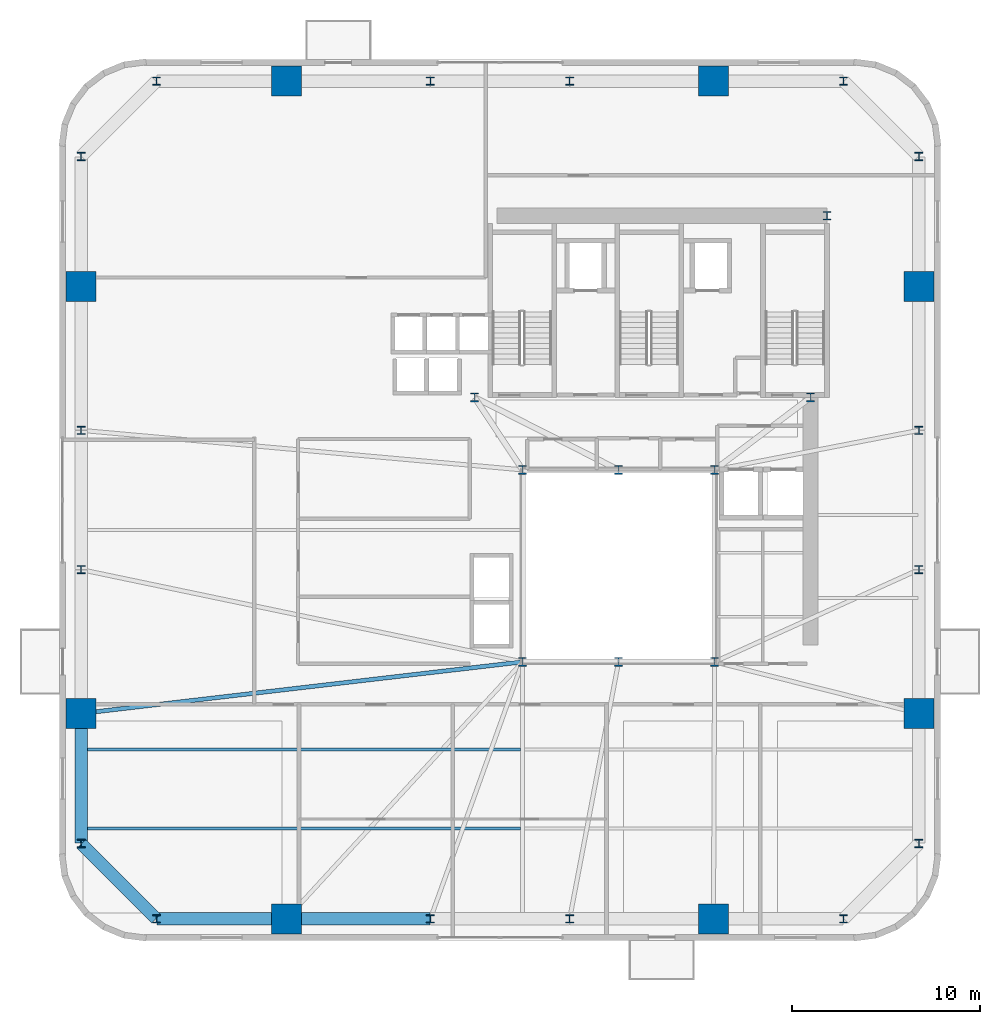
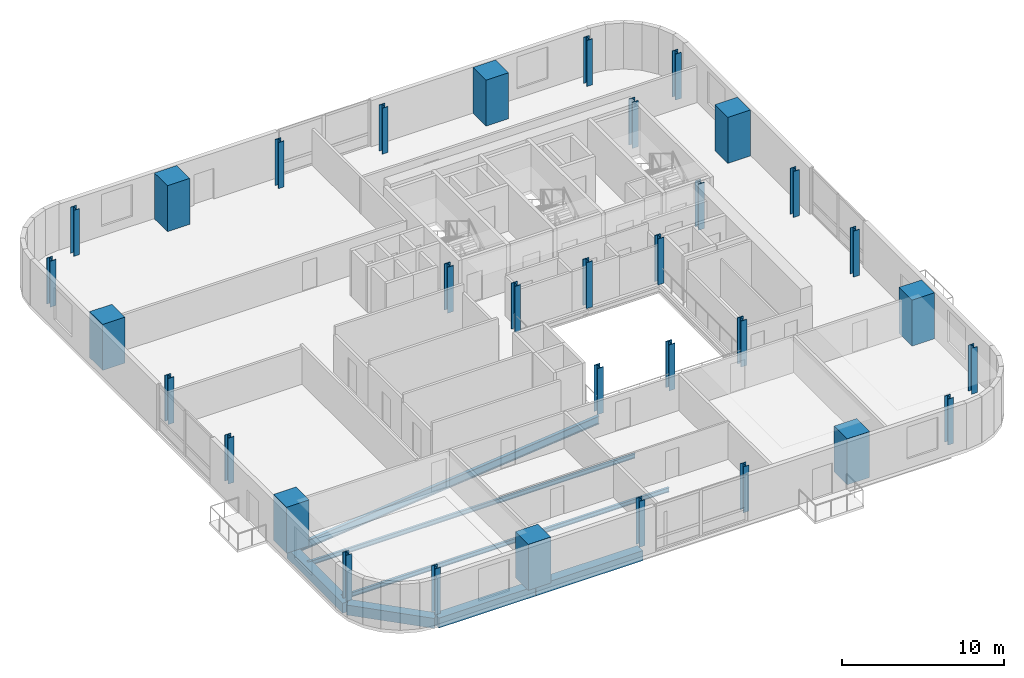
# One storey, part 1 of 13: 33 columns, 7 beams.
"""IFC4 building model written with IfcOpenShell, lengths in metres."""

from ifc_helpers import new_model, si_unit, direction, frame, origin, origin_2d, place, context, subcontext, project, spatial, rectangle, i_section, extrude, source, transform, mapped, material, material_profile, profile_set, type_object, element, save


model = new_model("IFC4")

# Units and contexts
model_context = context("Model", 3, precision=1e-05, world=origin(), true_north=direction((0.0, 1.0)))
body_context = subcontext(model_context, "Body", "Model", "MODEL_VIEW")
ifc_project = project(units=[si_unit("LENGTHUNIT", "METRE"), si_unit("AREAUNIT", "SQUARE_METRE"), si_unit("VOLUMEUNIT", "CUBIC_METRE"), si_unit("PLANEANGLEUNIT", "RADIAN"), si_unit("MASSUNIT", "GRAM", prefix="KILO")], contexts=[model_context])

# Site, building, storey
site_placement = place(None, origin())
site = spatial("IfcSite", under=ifc_project, at=site_placement, CompositionType="ELEMENT")
building_placement = place(site_placement, origin())
building = spatial("IfcBuilding", under=site, at=building_placement, Name="Vardaveli Station Tower", CompositionType="ELEMENT")
storey_placement = place(building_placement, frame((0.0, 0.0, 159.39990234375)))
storey = spatial("IfcBuildingStorey", under=building, at=storey_placement, Name="L41", CompositionType="ELEMENT", Elevation=159.39990234375)

# Columns
ifc_material_1 = material(Name="Structural steel S460M", Category="steel")
ifc_material_profile_1 = material_profile(ifc_material_1, i_section(OverallWidth=0.424072265625, OverallDepth=0.465087890625, WebThickness=0.034912109375, FlangeThickness=0.055908203125, FilletRadius=0.014892578125, at=origin_2d()), Name="HD 400x592")
ifc_profile_set_1 = profile_set([ifc_material_profile_1], Name="Structural steel S460M")
column_type_1 = type_object("IfcColumnType", Name="COL-HD592", PredefinedType="COLUMN", material=ifc_profile_set_1)
shared_shape_1 = source(origin(), body_context, "Body", "SweptSolid", [
    extrude(i_section(OverallWidth=0.424072265625, OverallDepth=0.465087890625, WebThickness=0.034912109375, FlangeThickness=0.055908203125, FilletRadius=0.014892578125, at=origin_2d()), origin(), (0.0, 0.0, 1.0), 3.460205078125),
])
for number, where, z_axis, x_axis, name in (
    (1, (31.199951171875, 16.60009765625, 0.0), (0.0, 0.0, 1.0), (1.0, 0.0, 0.0), "COL-L41-AC1"),
    (2, (36.300048828125, 16.60009765625, 0.0), (0.0, 0.0, 1.0), (1.0, 0.0, 0.0), "COL-L41-AC2"),
    (3, (41.39990234375, 16.60009765625, 0.0), (0.0, 0.0, 1.0), (1.0, 0.0, 0.0), "COL-L41-AC3"),
    (4, (41.39990234375, 26.800048828125, 0.0), (0.0, 0.0, 1.0), (1.0, 0.0, 0.0), "COL-L41-AC4"),
    (5, (36.300048828125, 26.800048828125, 0.0), (0.0, 0.0, 1.0), (1.0, 0.0, 0.0), "COL-L41-AC5"),
    (6, (31.199951171875, 26.800048828125, 0.0), (0.0, 0.0, 1.0), (1.0, 0.0, 0.0), "COL-L41-AC6"),
    (7, (28.64990234375, 30.64990234375, 0.0), (0.0, 0.0, 1.0), (1.0, 0.0, 0.0), "COL-L41-CC1"),
    (8, (46.5, 30.64990234375, 0.0), (0.0, 0.0, 1.0), (1.0, 0.0, 0.0), "COL-L41-CC2"),
    (9, (47.3701171875, 40.300048828125, 0.0), (0.0, 0.0, 1.0), (1.0, 0.0, 0.0), "COL-L41-CC3"),
):
    element("IfcColumn", number, at=place(storey_placement, frame(where, z_axis=z_axis, x_axis=x_axis)), inside=storey, type_object=column_type_1, Name=name, PredefinedType="COLUMN", context=body_context, shape_type="MappedRepresentation", body=[
        mapped(shared_shape_1, transform((0.0, 0.0, 0.0), scale=1.0)),
    ])
ifc_material_2 = material(Name="Concrete C60/75", Category="concrete")
ifc_material_profile_2 = material_profile(ifc_material_2, rectangle(XDim=1.60009765625, YDim=1.60009765625, at=origin_2d()), Name="MC 1600x1600")
ifc_profile_set_2 = profile_set([ifc_material_profile_2], Name="Concrete C60/75")
column_type_2 = type_object("IfcColumnType", Name="COL-MC-1600", PredefinedType="COLUMN", material=ifc_profile_set_2)
shared_shape_2 = source(origin(), body_context, "Body", "SweptSolid", [
    extrude(rectangle(XDim=1.60009765625, YDim=1.60009765625, at=origin_2d()), origin(), (0.0, 0.0, 1.0), 3.460205078125),
])
for number, where, z_axis, x_axis, name in (
    (10, (18.659912109375, 2.949951171875, 0.0), (0.0, 0.0, 1.0), (1.0, 0.0, 0.0), "COL-L41-MC1"),
    (11, (41.340087890625, 2.949951171875, 0.0), (0.0, 0.0, 1.0), (1.0, 0.0, 0.0), "COL-L41-MC2"),
    (12, (52.25, 13.860107421875, 0.0), (0.0, 0.0, 1.0), (1.0, 0.0, 0.0), "COL-L41-MC3"),
    (13, (52.25, 36.5400390625, 0.0), (0.0, 0.0, 1.0), (1.0, 0.0, 0.0), "COL-L41-MC4"),
    (14, (41.340087890625, 47.449951171875, 0.0), (0.0, 0.0, 1.0), (1.0, 0.0, 0.0), "COL-L41-MC5"),
    (15, (18.659912109375, 47.449951171875, 0.0), (0.0, 0.0, 1.0), (1.0, 0.0, 0.0), "COL-L41-MC6"),
    (16, (7.75, 36.5400390625, 0.0), (0.0, 0.0, 1.0), (1.0, 0.0, 0.0), "COL-L41-MC7"),
    (17, (7.75, 13.860107421875, 0.0), (0.0, 0.0, 1.0), (1.0, 0.0, 0.0), "COL-L41-MC8"),
):
    element("IfcColumn", number, at=place(storey_placement, frame(where, z_axis=z_axis, x_axis=x_axis)), inside=storey, type_object=column_type_2, Name=name, PredefinedType="COLUMN", context=body_context, shape_type="MappedRepresentation", body=[
        mapped(shared_shape_2, transform((0.0, 0.0, 0.0), scale=1.0)),
    ])
ifc_material_profile_3 = material_profile(ifc_material_1, i_section(OverallWidth=0.4140625, OverallDepth=0.431884765625, WebThickness=0.025634765625, FlangeThickness=0.0400390625, FilletRadius=0.014892578125, at=origin_2d()), Name="HD 400x421")
ifc_profile_set_3 = profile_set([ifc_material_profile_3], Name="Structural steel S460M")
column_type_3 = type_object("IfcColumnType", Name="COL-HD421", PredefinedType="COLUMN", material=ifc_profile_set_3)
shared_shape_3 = source(origin(), body_context, "Body", "SweptSolid", [
    extrude(i_section(OverallWidth=0.4140625, OverallDepth=0.431884765625, WebThickness=0.025634765625, FlangeThickness=0.0400390625, FilletRadius=0.014892578125, at=origin_2d()), origin(), (0.0, 0.0, 1.0), 3.460205078125),
])
for number, where, z_axis, x_axis, name in (
    (18, (11.75, 2.949951171875, 0.0), (0.0, 0.0, 1.0), (1.0, 0.0, 0.0), "COL-L41-PC01"),
    (19, (26.300048828125, 2.949951171875, 0.0), (0.0, 0.0, 1.0), (1.0, 0.0, 0.0), "COL-L41-PC02"),
    (20, (33.699951171875, 2.949951171875, 0.0), (0.0, 0.0, 1.0), (1.0, 0.0, 0.0), "COL-L41-PC03"),
    (21, (48.25, 2.949951171875, 0.0), (0.0, 0.0, 1.0), (1.0, 0.0, 0.0), "COL-L41-PC04"),
    (22, (52.25, 6.949951171875, 0.0), (0.0, 0.0, 1.0), (1.0, 0.0, 0.0), "COL-L41-PC05"),
    (23, (52.25, 21.5, 0.0), (0.0, 0.0, 1.0), (1.0, 0.0, 0.0), "COL-L41-PC06"),
    (24, (52.25, 28.89990234375, 0.0), (0.0, 0.0, 1.0), (1.0, 0.0, 0.0), "COL-L41-PC07"),
    (25, (52.25, 43.449951171875, 0.0), (0.0, 0.0, 1.0), (1.0, 0.0, 0.0), "COL-L41-PC08"),
    (26, (48.25, 47.449951171875, 0.0), (0.0, 0.0, 1.0), (1.0, 0.0, 0.0), "COL-L41-PC09"),
    (27, (33.699951171875, 47.449951171875, 0.0), (0.0, 0.0, 1.0), (1.0, 0.0, 0.0), "COL-L41-PC10"),
    (28, (26.300048828125, 47.449951171875, 0.0), (0.0, 0.0, 1.0), (1.0, 0.0, 0.0), "COL-L41-PC11"),
    (29, (11.75, 47.449951171875, 0.0), (0.0, 0.0, 1.0), (1.0, 0.0, 0.0), "COL-L41-PC12"),
    (30, (7.75, 43.449951171875, 0.0), (0.0, 0.0, 1.0), (1.0, 0.0, 0.0), "COL-L41-PC13"),
    (31, (7.75, 28.89990234375, 0.0), (0.0, 0.0, 1.0), (1.0, 0.0, 0.0), "COL-L41-PC14"),
    (32, (7.75, 21.5, 0.0), (0.0, 0.0, 1.0), (1.0, 0.0, 0.0), "COL-L41-PC15"),
    (33, (7.75, 6.949951171875, 0.0), (0.0, 0.0, 1.0), (1.0, 0.0, 0.0), "COL-L41-PC16"),
):
    element("IfcColumn", number, at=place(storey_placement, frame(where, z_axis=z_axis, x_axis=x_axis)), inside=storey, type_object=column_type_3, Name=name, PredefinedType="COLUMN", context=body_context, shape_type="MappedRepresentation", body=[
        mapped(shared_shape_3, transform((0.0, 0.0, 0.0), scale=1.0)),
    ])

# Beams
ifc_material_3 = material(Name="Precast concrete C45/55", Category="concrete")
ifc_material_profile_4 = material_profile(ifc_material_3, rectangle(XDim=0.64990234375, YDim=0.75, at=origin_2d()), Name="LPB 650x750")
ifc_profile_set_4 = profile_set([ifc_material_profile_4], Name="Precast concrete C45/55")
beam_type_1 = type_object("IfcBeamType", Name="BM-LPB-750", PredefinedType="BEAM", material=ifc_profile_set_4)
shared_shape_4 = source(origin(), body_context, "Body", "SweptSolid", [
    extrude(rectangle(XDim=0.64990234375, YDim=0.75, at=origin_2d()), origin(), (0.0, 0.0, 1.0), 7.60009765625),
])
beam_1_placement = place(storey_placement, frame((18.679931640625, 2.949951171875, -0.614990234375), z_axis=(1.0, 0.0, 0.0), x_axis=(0.0, 1.0, 0.0)))
element("IfcBeam", 34, at=beam_1_placement, inside=storey, type_object=beam_type_1, Name="RBM-L41-01", PredefinedType="BEAM", context=body_context, shape_type="MappedRepresentation", body=[
    mapped(shared_shape_4, transform((0.0, 0.0, 0.0), scale=1.0)),
])
shared_shape_5 = source(origin(), body_context, "Body", "SweptSolid", [
    extrude(rectangle(XDim=0.64990234375, YDim=0.75, at=origin_2d()), origin(), (0.0, 0.0, 1.0), 6.869873046875),
])
beam_2_placement = place(storey_placement, frame((11.77001953125, 2.949951171875, -0.614990234375), z_axis=(1.0, 0.0, 0.0), x_axis=(0.0, 1.0, 0.0)))
element("IfcBeam", 35, at=beam_2_placement, inside=storey, type_object=beam_type_1, Name="RBM-L41-24", PredefinedType="BEAM", context=body_context, shape_type="MappedRepresentation", body=[
    mapped(shared_shape_5, transform((0.0, 0.0, 0.0), scale=1.0)),
])
shared_shape_6 = source(origin(), body_context, "Body", "SweptSolid", [
    extrude(rectangle(XDim=0.64990234375, YDim=0.75, at=origin_2d()), origin(), (0.0, 0.0, 1.0), 5.61669921875),
])
beam_3_placement = place(storey_placement, frame((7.76416015625, 6.935791015625, -0.614990234375), z_axis=(0.707106781187, -0.707106781187, 0.0), x_axis=(0.707106781187, 0.707106781187, 0.0)))
element("IfcBeam", 36, at=beam_3_placement, inside=storey, type_object=beam_type_1, Name="RBM-L41-23", PredefinedType="BEAM", context=body_context, shape_type="MappedRepresentation", body=[
    mapped(shared_shape_6, transform((0.0, 0.0, 0.0), scale=1.0)),
])
shared_shape_7 = source(origin(), body_context, "Body", "SweptSolid", [
    extrude(rectangle(XDim=0.64990234375, YDim=0.75, at=origin_2d()), origin(), (0.0, 0.0, 1.0), 6.8701171875),
])
beam_4_placement = place(storey_placement, frame((7.75, 13.840087890625, -0.614990234375), z_axis=(0.0, -1.0, 0.0), x_axis=(1.0, 0.0, 0.0)))
element("IfcBeam", 37, at=beam_4_placement, inside=storey, type_object=beam_type_1, Name="RBM-L41-22", PredefinedType="BEAM", context=body_context, shape_type="MappedRepresentation", body=[
    mapped(shared_shape_7, transform((0.0, 0.0, 0.0), scale=1.0)),
])
ifc_material_4 = material(Name="Structural steel S355J2", Category="steel")
ifc_material_profile_5 = material_profile(ifc_material_4, i_section(OverallWidth=0.159912109375, OverallDepth=0.330078125, WebThickness=0.007568359375, FlangeThickness=0.011474609375, FilletRadius=0.01806640625, at=origin_2d()), Name="IPE 330")
ifc_profile_set_5 = profile_set([ifc_material_profile_5], Name="Structural steel S355J2")
beam_type_2 = type_object("IfcBeamType", Name="BM-IPE330", PredefinedType="JOIST", material=ifc_profile_set_5)
shared_shape_8 = source(origin(), body_context, "Body", "SweptSolid", [
    extrude(i_section(OverallWidth=0.159912109375, OverallDepth=0.330078125, WebThickness=0.007568359375, FlangeThickness=0.011474609375, FilletRadius=0.01806640625, at=origin_2d()), origin(), (0.0, 0.0, 1.0), 23.2978515625),
])
for number, where, z_axis, x_axis, name in (
    (38, (7.7900390625, 7.75, -0.40478515625), (1.0, 0.0, 0.0), (0.0, 1.0, 0.0), "SJ-L41-S01"),
    (39, (7.7900390625, 11.949951171875, -0.40478515625), (1.0, 0.0, 0.0), (0.0, 1.0, 0.0), "SJ-L41-S03"),
):
    element("IfcBeam", number, at=place(storey_placement, frame(where, z_axis=z_axis, x_axis=x_axis)), inside=storey, type_object=beam_type_2, Name=name, PredefinedType="JOIST", context=body_context, shape_type="MappedRepresentation", body=[
        mapped(shared_shape_8, transform((0.0, 0.0, 0.0), scale=1.0)),
    ])
ifc_material_profile_6 = material_profile(ifc_material_4, i_section(OverallWidth=0.219970703125, OverallDepth=0.60009765625, WebThickness=0.011962890625, FlangeThickness=0.01904296875, FilletRadius=0.02392578125, at=origin_2d()), Name="IPE 600")
ifc_profile_set_6 = profile_set([ifc_material_profile_6], Name="Structural steel S355J2")
beam_type_3 = type_object("IfcBeamType", Name="BM-IPE600", PredefinedType="BEAM", material=ifc_profile_set_6)
shared_shape_9 = source(origin(), body_context, "Body", "SweptSolid", [
    extrude(i_section(OverallWidth=0.219970703125, OverallDepth=0.60009765625, WebThickness=0.011962890625, FlangeThickness=0.01904296875, FilletRadius=0.02392578125, at=origin_2d()), origin(), (0.0, 0.0, 1.0), 23.569580078125),
])
beam_5_placement = place(storey_placement, frame((7.769775390625, 13.8623046875, -0.539794921875), z_axis=(0.993242915589, 0.11605391261, 0.0), x_axis=(-0.11605391261, 0.993242915589, 0.0)))
element("IfcBeam", 40, at=beam_5_placement, inside=storey, type_object=beam_type_3, Name="GBM-L41-10", PredefinedType="BEAM", context=body_context, shape_type="MappedRepresentation", body=[
    mapped(shared_shape_9, transform((0.0, 0.0, 0.0), scale=1.0)),
])

save(model, "model.ifc")
